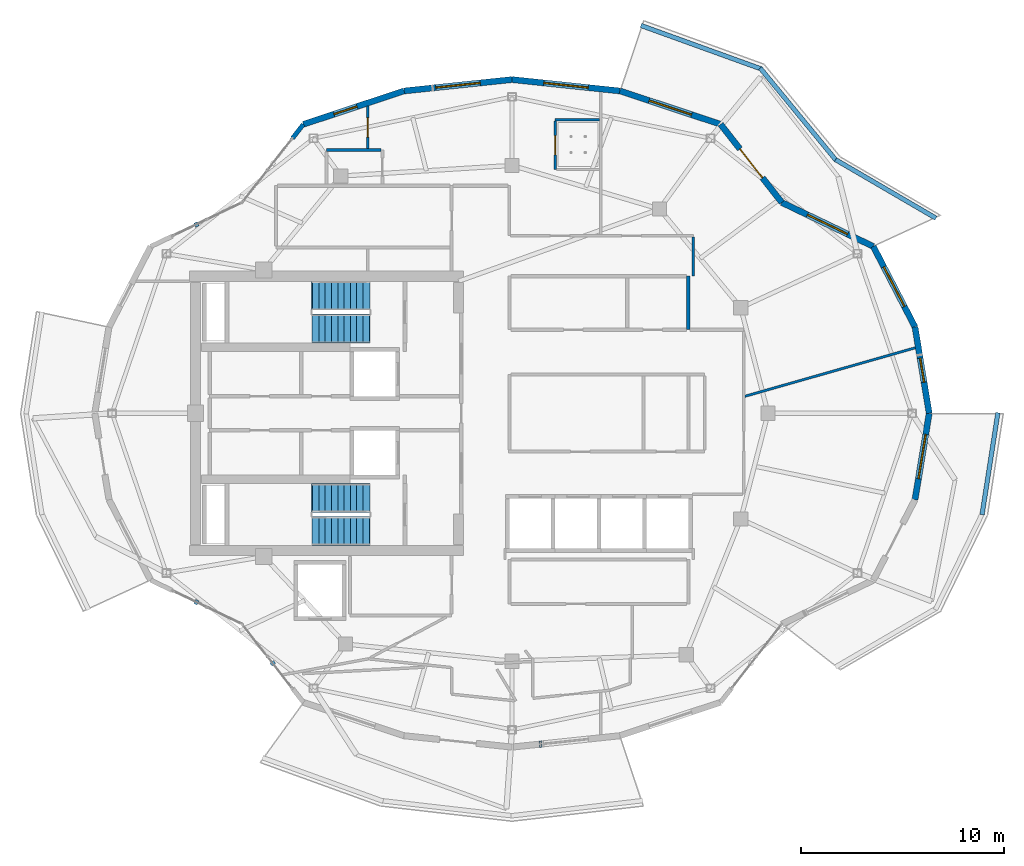
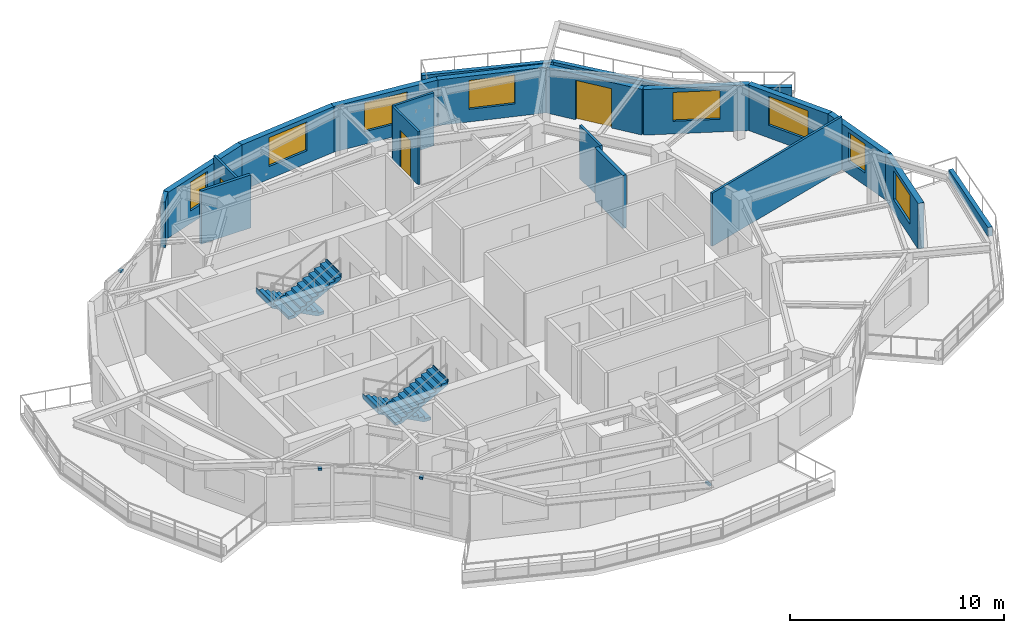
# One storey, part 11 of 15: 21 walls, 8 windows, 4 discrete accessories, 4 stair flights, 3 doors, 11 openings, 2 elements without a shape of their own.
"""IFC4 building model written with IfcOpenShell, lengths in metres."""

from ifc_helpers import new_model, si_unit, direction, frame, frame_2d, origin, origin_2d, place, context, subcontext, project, spatial, polyline, rectangle, outline, extrude, material, layer, layer_set, type_object, element, fill, aggregate, save


model = new_model("IFC4")

# Units and contexts
model_context = context("Model", 3, precision=1e-05, world=origin(), true_north=direction((0.0, 1.0)))
body_context = subcontext(model_context, "Body", "Model", "MODEL_VIEW")
ifc_project = project(units=[si_unit("LENGTHUNIT", "METRE"), si_unit("AREAUNIT", "SQUARE_METRE"), si_unit("VOLUMEUNIT", "CUBIC_METRE"), si_unit("PLANEANGLEUNIT", "RADIAN"), si_unit("MASSUNIT", "GRAM", prefix="KILO")], contexts=[model_context])

# Site, building, storey
site_placement = place(None, origin())
site = spatial("IfcSite", under=ifc_project, at=site_placement, CompositionType="ELEMENT")
building_placement = place(site_placement, origin())
building = spatial("IfcBuilding", under=site, at=building_placement, Name="Kolvaren Gate Tower and Convention Centre", CompositionType="ELEMENT")
storey_placement = place(building_placement, frame((0.0, 0.0, 265.699951171875)))
storey = spatial("IfcBuildingStorey", under=building, at=storey_placement, Name="L72", CompositionType="ELEMENT", Elevation=265.699951171875)

# Walls
ifc_material_1 = material(Name="Autoclaved Aerated Masonry Blockwork Class 4 (4.0 MPa)", Category="masonry")
ifc_layer_1 = layer(ifc_material_1, 0.179931640625)
ifc_layer_set_1 = layer_set([ifc_layer_1], Name="Autoclaved Aerated Masonry Blockwork Class 4 (4.0 MPa)")
wall_type_1 = type_object("IfcWallType", Name="ARCH-WL-COMP-180", PredefinedType="SOLIDWALL", material=ifc_layer_set_1)
wall_1_placement = place(storey_placement, frame((38.800048828125, 31.1201171875, 0.0), z_axis=(0.0, 0.0, 1.0), x_axis=(0.0, 1.0, 0.0)))
element("IfcWall", 1, at=wall_1_placement, inside=storey, type_object=wall_type_1, Name="Interior Partition WL-L72-INT-023", PredefinedType="SOLIDWALL", context=body_context, shape_type="SweptSolid", body=[
    extrude(rectangle(XDim=2.6298828125, YDim=0.179931640625, at=frame_2d((1.31494140625, 0.0))), origin(), (0.0, 0.0, 1.0), 3.030029296875),
])
ifc_material_2 = material(Name="Fire-Rated Acoustic Gypsum Stud Partition", Category="gypsum")
ifc_layer_2 = layer(ifc_material_2, 0.1201171875)
ifc_layer_set_2 = layer_set([ifc_layer_2], Name="Fire-Rated Acoustic Gypsum Stud Partition")
wall_type_2 = type_object("IfcWallType", Name="ARCH-WL-PART-120", PredefinedType="PARTITIONING", material=ifc_layer_set_2)
wall_2_placement = place(storey_placement, frame((39.050048828125, 33.75, 0.0), z_axis=(0.0, 0.0, 1.0), x_axis=(0.0, 1.0, 0.0)))
element("IfcWall", 2, at=wall_2_placement, inside=storey, type_object=wall_type_2, Name="Interior Partition WL-L72-INT-034", PredefinedType="PARTITIONING", context=body_context, shape_type="SweptSolid", body=[
    extrude(rectangle(XDim=1.93798828125, YDim=0.1201171875, at=frame_2d((0.968994140625, 0.0))), origin(), (0.0, 0.0, 1.0), 3.030029296875),
])
wall_3_placement = place(storey_placement, frame((41.58203125, 27.837646484375, 0.0), z_axis=(0.0, 0.0, 1.0), x_axis=(0.961811765236, 0.273711761262, 0.0)))
element("IfcWall", 3, at=wall_3_placement, inside=storey, type_object=wall_type_2, Name="Interior Partition WL-L72-INT-055", PredefinedType="PARTITIONING", context=body_context, shape_type="SweptSolid", body=[
    extrude(rectangle(XDim=8.722412109375, YDim=0.1201171875, at=frame_2d((4.361328125, 0.0))), origin(), (0.0, 0.0, 1.0), 3.030029296875),
])
wall_4_placement = place(storey_placement, frame((32.25, 41.449951171875, 0.0), z_axis=(0.0, 0.0, 1.0), x_axis=(1.0, 0.0, 0.0)))
element("IfcWall", 4, at=wall_4_placement, inside=storey, type_object=wall_type_2, Name="Interior Partition WL-L72-INT-056", PredefinedType="PARTITIONING", context=body_context, shape_type="SweptSolid", body=[
    extrude(rectangle(XDim=2.18798828125, YDim=0.1201171875, at=frame_2d((1.093994140625, 0.0))), origin(), (0.0, 0.0, 1.0), 3.030029296875),
])

# Wall, opening, door
wall_5_placement = place(storey_placement, frame((32.25, 39.0, 0.0), z_axis=(0.0, 0.0, 1.0), x_axis=(0.0, 1.0, 0.0)))
wall_5 = element("IfcWall", 5, at=wall_5_placement, inside=storey, type_object=wall_type_2, Name="Interior Partition WL-L72-INT-057", PredefinedType="PARTITIONING", context=body_context, shape_type="SweptSolid", body=[
    extrude(rectangle(XDim=2.387939453125, YDim=0.1201171875, at=frame_2d((1.19384765625, 0.0))), origin(), (0.0, 0.0, 1.0), 3.030029296875),
])
opening_1_placement = place(wall_5_placement, frame((0.718994140625, 0.0, 0.0)))
opening_1 = element("IfcOpeningElement", 6, at=opening_1_placement, cuts=wall_5, Name="Opening DI-01", PredefinedType="OPENING", context=body_context, shape_type="SweptSolid", body=[
    extrude(rectangle(XDim=0.949951171875, YDim=2.10009765625, at=frame_2d((0.47509765625, 1.050048828125))), frame((0.0, 0.070068359375, 0.0), z_axis=(0.0, -1.0, 0.0), x_axis=(1.0, 0.0, 0.0)), (0.0, 0.0, 1.0), 0.14013671875),
])
ifc_material_3 = material(Name="FSC Andean Oak Engineered Veneer Door Leaf", Category="wood")
door_type_1 = type_object("IfcDoorType", Name="ARCH-DR-INT-950", OperationType="SINGLE_SWING_LEFT", PredefinedType="DOOR", material=ifc_material_3)
door_1_placement = place(opening_1_placement, origin())
door_1 = element("IfcDoor", 7, at=door_1_placement, inside=storey, type_object=door_type_1, Name="Apartment Fitted Kitchen (APT-L72-01) Door", OperationType="SINGLE_SWING_RIGHT", OverallHeight=2.10009765625, OverallWidth=0.949951171875, PredefinedType="DOOR", context=body_context, shape_type="SweptSolid", body=[
    extrude(rectangle(XDim=0.949951171875, YDim=2.10009765625, at=frame_2d((0.47509765625, 1.050048828125))), frame((0.0, 0.02490234375, 0.0), z_axis=(0.0, -1.0, 0.0), x_axis=(1.0, 0.0, 0.0)), (0.0, 0.0, 1.0), 0.050048828125),
])
fill(opening_1, door_1)

wall_6_placement = place(storey_placement, frame((23.02392578125, 40.027099609375, 0.0), z_axis=(0.0, 0.0, 1.0), x_axis=(0.0, 1.0, 0.0)))
wall_6 = element("IfcWall", 8, at=wall_6_placement, inside=storey, type_object=wall_type_2, Name="Interior Partition WL-L72-INT-062", PredefinedType="PARTITIONING", context=body_context, shape_type="SweptSolid", body=[
    extrude(rectangle(XDim=2.0859375, YDim=0.1201171875, at=frame_2d((1.04296875, 0.0))), origin(), (0.0, 0.0, 1.0), 3.030029296875),
])
opening_2_placement = place(wall_6_placement, frame((0.568115234375, 0.0, 0.0)))
opening_2 = element("IfcOpeningElement", 9, at=opening_2_placement, cuts=wall_6, Name="Opening DI-01", PredefinedType="OPENING", context=body_context, shape_type="SweptSolid", body=[
    extrude(rectangle(XDim=0.949951171875, YDim=2.10009765625, at=frame_2d((0.47509765625, 1.050048828125))), frame((0.0, 0.070068359375, 0.0), z_axis=(0.0, -1.0, 0.0), x_axis=(1.0, 0.0, 0.0)), (0.0, 0.0, 1.0), 0.14013671875),
])
door_2_placement = place(opening_2_placement, origin())
door_2 = element("IfcDoor", 10, at=door_2_placement, inside=storey, type_object=door_type_1, Name="Apartment Bedroom (APT-L72-01) Door", OperationType="SINGLE_SWING_RIGHT", OverallHeight=2.10009765625, OverallWidth=0.949951171875, PredefinedType="DOOR", context=body_context, shape_type="SweptSolid", body=[
    extrude(rectangle(XDim=0.949951171875, YDim=2.10009765625, at=frame_2d((0.47509765625, 1.050048828125))), frame((0.0, 0.02490234375, 0.0), z_axis=(0.0, -1.0, 0.0), x_axis=(1.0, 0.0, 0.0)), (0.0, 0.0, 1.0), 0.050048828125),
])
fill(opening_2, door_2)

# Walls
ifc_material_4 = material(Name="Bogota Sabana Bush-Hammered Sandstone Cladding", Category="masonry")
ifc_layer_3 = layer(ifc_material_4, 0.219970703125)
ifc_layer_set_3 = layer_set([ifc_layer_3], Name="Bogota Sabana Bush-Hammered Sandstone Cladding")
wall_type_3 = type_object("IfcWallType", Name="ARCH-WL-PIER-220", PredefinedType="SOLIDWALL", material=ifc_layer_set_3)
wall_7_placement = place(storey_placement, frame((19.319091796875, 40.534423828125, 0.0), z_axis=(0.0, 0.0, 1.0), x_axis=(0.61640589237, 0.787428584604, 0.0)))
element("IfcWall", 11, at=wall_7_placement, inside=storey, type_object=wall_type_3, Name="Tower L72 Unitised Curtain Wall CW-RES-UNIT Bay 08 Right Column Pier Wrap", PredefinedType="SOLIDWALL", context=body_context, shape_type="SweptSolid", body=[
    extrude(rectangle(XDim=0.87646484375, YDim=0.219970703125, at=frame_2d((0.438232421875, 0.0))), origin(), (0.0, 0.0, 1.0), 2.60498046875),
])
ifc_material_5 = material(Name="Piedmont Cream Honed Limestone Cladding", Category="masonry")
ifc_layer_4 = layer(ifc_material_5, 0.219970703125)
ifc_layer_set_4 = layer_set([ifc_layer_4], Name="Piedmont Cream Honed Limestone Cladding")
wall_type_4 = type_object("IfcWallType", Name="ARCH-WL-PLANTER-220", PredefinedType="PARAPET", material=ifc_layer_set_4)
wall_8_placement = place(storey_placement, frame((46.0478515625, 39.484619140625, 0.0), z_axis=(0.0, 0.0, 1.0), x_axis=(0.863803671285, -0.503828559606, 0.0)))
element("IfcWall", 12, at=wall_8_placement, inside=storey, type_object=wall_type_4, Name="Vertical-Forest Balcony Stone Planter Kerb PK-L72-1.1", PredefinedType="PARAPET", context=body_context, shape_type="SweptSolid", body=[
    extrude(rectangle(XDim=5.719482421875, YDim=0.219970703125, at=frame_2d((2.85986328125, 0.0))), origin(), (0.0, 0.0, 1.0), 0.52001953125),
])
wall_9_placement = place(storey_placement, frame((42.338623046875, 43.989990234375, 0.0), z_axis=(0.0, 0.0, 1.0), x_axis=(0.635450933862, -0.772141250455, 0.0)))
element("IfcWall", 13, at=wall_9_placement, inside=storey, type_object=wall_type_4, Name="Vertical-Forest Balcony Stone Planter Kerb PK-L72-1.2", PredefinedType="PARAPET", context=body_context, shape_type="SweptSolid", body=[
    extrude(rectangle(XDim=5.91015625, YDim=0.219970703125, at=frame_2d((2.955078125, 0.0))), origin(), (0.0, 0.0, 1.0), 0.52001953125),
])
wall_10_placement = place(storey_placement, frame((36.47265625, 46.087158203125, 0.0), z_axis=(0.0, 0.0, 1.0), x_axis=(0.940465240036, -0.339889882585, 0.0)))
element("IfcWall", 14, at=wall_10_placement, inside=storey, type_object=wall_type_4, Name="Vertical-Forest Balcony Stone Planter Kerb PK-L72-1.3", PredefinedType="PARAPET", context=body_context, shape_type="SweptSolid", body=[
    extrude(rectangle(XDim=6.306640625, YDim=0.219970703125, at=frame_2d((3.1533203125, 0.0))), origin(), (0.0, 0.0, 1.0), 0.52001953125),
])
wall_11_placement = place(storey_placement, frame((53.2568359375, 22.01123046875, 0.0), z_axis=(0.0, 0.0, 1.0), x_axis=(0.15374038442, 0.988111276223, 0.0)))
element("IfcWall", 15, at=wall_11_placement, inside=storey, type_object=wall_type_4, Name="Vertical-Forest Balcony Stone Planter Kerb PK-L72-4.3", PredefinedType="PARAPET", context=body_context, shape_type="SweptSolid", body=[
    extrude(rectangle(XDim=5.078369140625, YDim=0.219970703125, at=frame_2d((2.5390625, 0.0))), origin(), (0.0, 0.0, 1.0), 0.52001953125),
])

# Wall, opening, window
ifc_layer_5 = layer(ifc_material_5, 0.300048828125)
ifc_layer_set_5 = layer_set([ifc_layer_5], Name="Piedmont Cream Honed Limestone Cladding")
wall_type_5 = type_object("IfcWallType", Name="ARCH-WL-STONE-300", PredefinedType="SOLIDWALL", material=ifc_layer_set_5)
wall_12_placement = place(storey_placement, frame((49.95654296875, 31.251220703125, 0.0), z_axis=(0.0, 0.0, 1.0), x_axis=(0.162404622434, -0.98672424649, 0.0)))
wall_12 = element("IfcWall", 16, at=wall_12_placement, inside=storey, type_object=wall_type_5, Name="Tower L72 Honed Stone Spandrel Wall EW-00", PredefinedType="SOLIDWALL", context=body_context, shape_type="SweptSolid", body=[
    extrude(rectangle(XDim=4.308349609375, YDim=0.300048828125, at=frame_2d((2.154296875, 0.0))), origin(), (0.0, 0.0, 1.0), 2.60498046875),
])
opening_3_placement = place(wall_12_placement, frame((1.553955078125, 0.0, 0.719970703125)))
opening_3 = element("IfcOpeningElement", 17, at=opening_3_placement, cuts=wall_12, Name="Opening W-04", PredefinedType="OPENING", context=body_context, shape_type="SweptSolid", body=[
    extrude(rectangle(XDim=1.199951171875, YDim=1.64990234375, at=frame_2d((0.60009765625, 0.824951171875))), frame((0.0, 0.159912109375, 0.0), z_axis=(0.0, -1.0, 0.0), x_axis=(1.0, 0.0, 0.0)), (0.0, 0.0, 1.0), 0.320068359375),
])
ifc_material_6 = material(Name="Low-E Triple Insulated Glazing Unit 44 mm", Category="glass")
window_type_1 = type_object("IfcWindowType", Name="ARCH-WN-NARROW-1200", PartitioningType="SINGLE_PANEL", PredefinedType="WINDOW", material=ifc_material_6)
window_1_placement = place(opening_3_placement, origin())
window_1 = element("IfcWindow", 18, at=window_1_placement, inside=storey, type_object=window_type_1, Name="Tower L72 Punched Stone Facade Window W-00", OverallHeight=1.64990234375, OverallWidth=1.199951171875, PartitioningType="SINGLE_PANEL", PredefinedType="WINDOW", context=body_context, shape_type="SweptSolid", body=[
    extrude(rectangle(XDim=1.199951171875, YDim=1.64990234375, at=frame_2d((0.60009765625, 0.824951171875))), frame((0.0, 0.030029296875, 0.0), z_axis=(0.0, -1.0, 0.0), x_axis=(1.0, 0.0, 0.0)), (0.0, 0.0, 1.0), 0.06005859375),
])
fill(opening_3, window_1)

wall_13_placement = place(storey_placement, frame((47.905517578125, 35.21240234375, 0.0), z_axis=(0.0, 0.0, 1.0), x_axis=(0.459801070243, -0.888021945564, 0.0)))
wall_13 = element("IfcWall", 19, at=wall_13_placement, inside=storey, type_object=wall_type_5, Name="Tower L72 Honed Stone Spandrel Wall EW-01", PredefinedType="SOLIDWALL", context=body_context, shape_type="SweptSolid", body=[
    extrude(rectangle(XDim=4.460693359375, YDim=0.300048828125, at=frame_2d((2.23046875, 0.0))), origin(), (0.0, 0.0, 1.0), 2.60498046875),
])
opening_4_placement = place(wall_13_placement, frame((1.1298828125, 0.0, 0.719970703125)))
opening_4 = element("IfcOpeningElement", 20, at=opening_4_placement, cuts=wall_13, Name="Opening W-03", PredefinedType="OPENING", context=body_context, shape_type="SweptSolid", body=[
    extrude(rectangle(XDim=2.199951171875, YDim=1.64990234375, at=frame_2d((1.10009765625, 0.824951171875))), frame((0.0, 0.159912109375, 0.0), z_axis=(0.0, -1.0, 0.0), x_axis=(1.0, 0.0, 0.0)), (0.0, 0.0, 1.0), 0.320068359375),
])
window_type_2 = type_object("IfcWindowType", Name="ARCH-WN-RES-2200", PartitioningType="SINGLE_PANEL", PredefinedType="WINDOW", material=ifc_material_6)
window_2_placement = place(opening_4_placement, origin())
window_2 = element("IfcWindow", 21, at=window_2_placement, inside=storey, type_object=window_type_2, Name="Tower L72 Punched Stone Facade Window W-01", OverallHeight=1.64990234375, OverallWidth=2.199951171875, PartitioningType="SINGLE_PANEL", PredefinedType="WINDOW", context=body_context, shape_type="SweptSolid", body=[
    extrude(rectangle(XDim=2.199951171875, YDim=1.64990234375, at=frame_2d((1.10009765625, 0.824951171875))), frame((0.0, 0.030029296875, 0.0), z_axis=(0.0, -1.0, 0.0), x_axis=(1.0, 0.0, 0.0)), (0.0, 0.0, 1.0), 0.06005859375),
])
fill(opening_4, window_2)

wall_14_placement = place(storey_placement, frame((43.40380859375, 37.37548828125, 0.0), z_axis=(0.0, 0.0, 1.0), x_axis=(0.901346013132, -0.433099716706, 0.0)))
wall_14 = element("IfcWall", 22, at=wall_14_placement, inside=storey, type_object=wall_type_5, Name="Tower L72 Honed Stone Spandrel Wall EW-02", PredefinedType="SOLIDWALL", context=body_context, shape_type="SweptSolid", body=[
    extrude(rectangle(XDim=4.994384765625, YDim=0.300048828125, at=frame_2d((2.4970703125, 0.0))), origin(), (0.0, 0.0, 1.0), 2.60498046875),
])
opening_5_placement = place(wall_14_placement, frame((1.39697265625, 0.0, 0.719970703125)))
opening_5 = element("IfcOpeningElement", 23, at=opening_5_placement, cuts=wall_14, Name="Opening W-03", PredefinedType="OPENING", context=body_context, shape_type="SweptSolid", body=[
    extrude(rectangle(XDim=2.199951171875, YDim=1.64990234375, at=frame_2d((1.10009765625, 0.824951171875))), frame((0.0, 0.159912109375, 0.0), z_axis=(0.0, -1.0, 0.0), x_axis=(1.0, 0.0, 0.0)), (0.0, 0.0, 1.0), 0.320068359375),
])
window_3_placement = place(opening_5_placement, origin())
window_3 = element("IfcWindow", 24, at=window_3_placement, inside=storey, type_object=window_type_2, Name="Tower L72 Punched Stone Facade Window W-02", OverallHeight=1.64990234375, OverallWidth=2.199951171875, PartitioningType="SINGLE_PANEL", PredefinedType="WINDOW", context=body_context, shape_type="SweptSolid", body=[
    extrude(rectangle(XDim=2.199951171875, YDim=1.64990234375, at=frame_2d((1.10009765625, 0.824951171875))), frame((0.0, 0.030029296875, 0.0), z_axis=(0.0, -1.0, 0.0), x_axis=(1.0, 0.0, 0.0)), (0.0, 0.0, 1.0), 0.06005859375),
])
fill(opening_5, window_3)

# Wall, opening, door
wall_15_placement = place(storey_placement, frame((40.390625, 41.224609375, 0.0), z_axis=(0.0, 0.0, 1.0), x_axis=(0.616413297421, -0.78742278781, 0.0)))
wall_15 = element("IfcWall", 25, at=wall_15_placement, inside=storey, type_object=wall_type_5, Name="Tower L72 Honed Stone Spandrel Wall EW-03", PredefinedType="SOLIDWALL", context=body_context, shape_type="SweptSolid", body=[
    extrude(rectangle(XDim=4.88818359375, YDim=0.300048828125, at=frame_2d((2.444091796875, 0.0))), origin(), (0.0, 0.0, 1.0), 2.60498046875),
])
opening_6_placement = place(wall_15_placement, frame((1.5439453125, 0.0, 0.0)))
opening_6 = element("IfcOpeningElement", 26, at=opening_6_placement, cuts=wall_15, Name="Opening DB-01", PredefinedType="OPENING", context=body_context, shape_type="SweptSolid", body=[
    extrude(rectangle(XDim=1.800048828125, YDim=2.25, at=frame_2d((0.89990234375, 1.125))), frame((0.0, 0.159912109375, 0.0), z_axis=(0.0, -1.0, 0.0), x_axis=(1.0, 0.0, 0.0)), (0.0, 0.0, 1.0), 0.320068359375),
])
ifc_material_7 = material(Name="Anodized Architectural Aluminium Alloy 6063-T6", Category="aluminium")
door_type_2 = type_object("IfcDoorType", Name="ARCH-DR-BALC-1800", OperationType="SLIDING_TO_LEFT", PredefinedType="DOOR", material=ifc_material_7)
door_3_placement = place(opening_6_placement, origin())
door_3 = element("IfcDoor", 27, at=door_3_placement, inside=storey, type_object=door_type_2, Name="Planted Sky Terrace Access Door DB-L72-03", OperationType="SLIDING_TO_LEFT", OverallHeight=2.25, OverallWidth=1.800048828125, PredefinedType="DOOR", context=body_context, shape_type="SweptSolid", body=[
    extrude(rectangle(XDim=1.800048828125, YDim=2.25, at=frame_2d((0.89990234375, 1.125))), frame((0.0, 0.02490234375, 0.0), z_axis=(0.0, -1.0, 0.0), x_axis=(1.0, 0.0, 0.0)), (0.0, 0.0, 1.0), 0.050048828125),
])
fill(opening_6, door_3)

# Wall, opening, window
wall_16_placement = place(storey_placement, frame((35.43896484375, 42.865234375, 0.0), z_axis=(0.0, 0.0, 1.0), x_axis=(0.949252744709, -0.314514271001, 0.0)))
wall_16 = element("IfcWall", 28, at=wall_16_placement, inside=storey, type_object=wall_type_5, Name="Tower L72 Honed Stone Spandrel Wall EW-04", PredefinedType="SOLIDWALL", context=body_context, shape_type="SweptSolid", body=[
    extrude(rectangle(XDim=5.21630859375, YDim=0.300048828125, at=frame_2d((2.608154296875, 0.0))), origin(), (0.0, 0.0, 1.0), 2.60498046875),
])
opening_7_placement = place(wall_16_placement, frame((1.508056640625, 0.0, 0.719970703125)))
opening_7 = element("IfcOpeningElement", 29, at=opening_7_placement, cuts=wall_16, Name="Opening W-03", PredefinedType="OPENING", context=body_context, shape_type="SweptSolid", body=[
    extrude(rectangle(XDim=2.199951171875, YDim=1.64990234375, at=frame_2d((1.10009765625, 0.824951171875))), frame((0.0, 0.159912109375, 0.0), z_axis=(0.0, -1.0, 0.0), x_axis=(1.0, 0.0, 0.0)), (0.0, 0.0, 1.0), 0.320068359375),
])
window_4_placement = place(opening_7_placement, origin())
window_4 = element("IfcWindow", 30, at=window_4_placement, inside=storey, type_object=window_type_2, Name="Tower L72 Punched Stone Facade Window W-04", OverallHeight=1.64990234375, OverallWidth=2.199951171875, PartitioningType="SINGLE_PANEL", PredefinedType="WINDOW", context=body_context, shape_type="SweptSolid", body=[
    extrude(rectangle(XDim=2.199951171875, YDim=1.64990234375, at=frame_2d((1.10009765625, 0.824951171875))), frame((0.0, 0.030029296875, 0.0), z_axis=(0.0, -1.0, 0.0), x_axis=(1.0, 0.0, 0.0)), (0.0, 0.0, 1.0), 0.06005859375),
])
fill(opening_7, window_4)

wall_17_placement = place(storey_placement, frame((30.125, 43.425048828125, 0.0), z_axis=(0.0, 0.0, 1.0), x_axis=(0.9944966869, -0.104768028258, 0.0)))
wall_17 = element("IfcWall", 31, at=wall_17_placement, inside=storey, type_object=wall_type_5, Name="Tower L72 Honed Stone Spandrel Wall EW-05", PredefinedType="SOLIDWALL", context=body_context, shape_type="SweptSolid", body=[
    extrude(rectangle(XDim=5.34326171875, YDim=0.300048828125, at=frame_2d((2.671630859375, 0.0))), origin(), (0.0, 0.0, 1.0), 2.60498046875),
])
opening_8_placement = place(wall_17_placement, frame((1.572021484375, 0.0, 0.719970703125)))
opening_8 = element("IfcOpeningElement", 32, at=opening_8_placement, cuts=wall_17, Name="Opening W-03", PredefinedType="OPENING", context=body_context, shape_type="SweptSolid", body=[
    extrude(rectangle(XDim=2.199951171875, YDim=1.64990234375, at=frame_2d((1.10009765625, 0.824951171875))), frame((0.0, 0.159912109375, 0.0), z_axis=(0.0, -1.0, 0.0), x_axis=(1.0, 0.0, 0.0)), (0.0, 0.0, 1.0), 0.320068359375),
])
window_5_placement = place(opening_8_placement, origin())
window_5 = element("IfcWindow", 33, at=window_5_placement, inside=storey, type_object=window_type_2, Name="Tower L72 Punched Stone Facade Window W-05", OverallHeight=1.64990234375, OverallWidth=2.199951171875, PartitioningType="SINGLE_PANEL", PredefinedType="WINDOW", context=body_context, shape_type="SweptSolid", body=[
    extrude(rectangle(XDim=2.199951171875, YDim=1.64990234375, at=frame_2d((1.10009765625, 0.824951171875))), frame((0.0, 0.030029296875, 0.0), z_axis=(0.0, -1.0, 0.0), x_axis=(1.0, 0.0, 0.0)), (0.0, 0.0, 1.0), 0.06005859375),
])
fill(opening_8, window_5)

wall_18_placement = place(storey_placement, frame((24.81103515625, 42.865234375, 0.0), z_axis=(0.0, 0.0, 1.0), x_axis=(0.9944966869, 0.104768028258, 0.0)))
wall_18 = element("IfcWall", 34, at=wall_18_placement, inside=storey, type_object=wall_type_5, Name="Tower L72 Honed Stone Spandrel Wall EW-06", PredefinedType="SOLIDWALL", context=body_context, shape_type="SweptSolid", body=[
    extrude(rectangle(XDim=5.34326171875, YDim=0.300048828125, at=frame_2d((2.671630859375, 0.0))), origin(), (0.0, 0.0, 1.0), 2.60498046875),
])
opening_9_placement = place(wall_18_placement, frame((1.572021484375, 0.0, 0.719970703125)))
opening_9 = element("IfcOpeningElement", 35, at=opening_9_placement, cuts=wall_18, Name="Opening W-03", PredefinedType="OPENING", context=body_context, shape_type="SweptSolid", body=[
    extrude(rectangle(XDim=2.199951171875, YDim=1.64990234375, at=frame_2d((1.10009765625, 0.824951171875))), frame((0.0, 0.159912109375, 0.0), z_axis=(0.0, -1.0, 0.0), x_axis=(1.0, 0.0, 0.0)), (0.0, 0.0, 1.0), 0.320068359375),
])
window_6_placement = place(opening_9_placement, origin())
window_6 = element("IfcWindow", 36, at=window_6_placement, inside=storey, type_object=window_type_2, Name="Tower L72 Punched Stone Facade Window W-06", OverallHeight=1.64990234375, OverallWidth=2.199951171875, PartitioningType="SINGLE_PANEL", PredefinedType="WINDOW", context=body_context, shape_type="SweptSolid", body=[
    extrude(rectangle(XDim=2.199951171875, YDim=1.64990234375, at=frame_2d((1.10009765625, 0.824951171875))), frame((0.0, 0.030029296875, 0.0), z_axis=(0.0, -1.0, 0.0), x_axis=(1.0, 0.0, 0.0)), (0.0, 0.0, 1.0), 0.06005859375),
])
fill(opening_9, window_6)

wall_19_placement = place(storey_placement, frame((19.859375, 41.224609375, 0.0), z_axis=(0.0, 0.0, 1.0), x_axis=(0.949252744709, 0.314514271001, 0.0)))
wall_19 = element("IfcWall", 37, at=wall_19_placement, inside=storey, type_object=wall_type_5, Name="Tower L72 Honed Stone Spandrel Wall EW-07", PredefinedType="SOLIDWALL", context=body_context, shape_type="SweptSolid", body=[
    extrude(rectangle(XDim=5.21630859375, YDim=0.300048828125, at=frame_2d((2.608154296875, 0.0))), origin(), (0.0, 0.0, 1.0), 2.60498046875),
])
opening_10_placement = place(wall_19_placement, frame((1.580078125, 0.0, 0.719970703125)))
opening_10 = element("IfcOpeningElement", 38, at=opening_10_placement, cuts=wall_19, Name="Opening W-04", PredefinedType="OPENING", context=body_context, shape_type="SweptSolid", body=[
    extrude(rectangle(XDim=1.199951171875, YDim=1.64990234375, at=frame_2d((0.60009765625, 0.824951171875))), frame((0.0, 0.159912109375, 0.0), z_axis=(0.0, -1.0, 0.0), x_axis=(1.0, 0.0, 0.0)), (0.0, 0.0, 1.0), 0.320068359375),
])
window_7_placement = place(opening_10_placement, origin())
window_7 = element("IfcWindow", 39, at=window_7_placement, inside=storey, type_object=window_type_1, Name="Tower L72 Punched Stone Facade Window W-07", OverallHeight=1.64990234375, OverallWidth=1.199951171875, PartitioningType="SINGLE_PANEL", PredefinedType="WINDOW", context=body_context, shape_type="SweptSolid", body=[
    extrude(rectangle(XDim=1.199951171875, YDim=1.64990234375, at=frame_2d((0.60009765625, 0.824951171875))), frame((0.0, 0.030029296875, 0.0), z_axis=(0.0, -1.0, 0.0), x_axis=(1.0, 0.0, 0.0)), (0.0, 0.0, 1.0), 0.06005859375),
])
fill(opening_10, window_7)

wall_20_placement = place(storey_placement, frame((49.95654296875, 22.748779296875, 0.0), z_axis=(0.0, 0.0, 1.0), x_axis=(0.162404622434, 0.98672424649, 0.0)))
wall_20 = element("IfcWall", 40, at=wall_20_placement, inside=storey, type_object=wall_type_5, Name="Tower L72 Honed Stone Spandrel Wall EW-23", PredefinedType="SOLIDWALL", context=body_context, shape_type="SweptSolid", body=[
    extrude(rectangle(XDim=4.308349609375, YDim=0.300048828125, at=frame_2d((2.154296875, 0.0))), origin(), (0.0, 0.0, 1.0), 2.60498046875),
])
opening_11_placement = place(wall_20_placement, frame((1.053955078125, 0.0, 0.719970703125)))
opening_11 = element("IfcOpeningElement", 41, at=opening_11_placement, cuts=wall_20, Name="Opening W-03", PredefinedType="OPENING", context=body_context, shape_type="SweptSolid", body=[
    extrude(rectangle(XDim=2.199951171875, YDim=1.64990234375, at=frame_2d((1.10009765625, 0.824951171875))), frame((0.0, 0.159912109375, 0.0), z_axis=(0.0, -1.0, 0.0), x_axis=(1.0, 0.0, 0.0)), (0.0, 0.0, 1.0), 0.320068359375),
])
window_8_placement = place(opening_11_placement, origin())
window_8 = element("IfcWindow", 42, at=window_8_placement, inside=storey, type_object=window_type_2, Name="Tower L72 Punched Stone Facade Window W-23", OverallHeight=1.64990234375, OverallWidth=2.199951171875, PartitioningType="SINGLE_PANEL", PredefinedType="WINDOW", context=body_context, shape_type="SweptSolid", body=[
    extrude(rectangle(XDim=2.199951171875, YDim=1.64990234375, at=frame_2d((1.10009765625, 0.824951171875))), frame((0.0, 0.030029296875, 0.0), z_axis=(0.0, -1.0, 0.0), x_axis=(1.0, 0.0, 0.0)), (0.0, 0.0, 1.0), 0.06005859375),
])
fill(opening_11, window_8)

# Wall
ifc_material_8 = material(Name="Moisture-Resistant Cement-Board Acoustic Partition", Category="gypsum")
ifc_layer_6 = layer(ifc_material_8, 0.14990234375)
ifc_layer_set_6 = layer_set([ifc_layer_6], Name="Moisture-Resistant Cement-Board Acoustic Partition")
wall_type_6 = type_object("IfcWallType", Name="ARCH-WL-WET-150", PredefinedType="PARTITIONING", material=ifc_layer_set_6)
wall_21_placement = place(storey_placement, frame((21.0, 39.949951171875, 0.0), z_axis=(0.0, 0.0, 1.0), x_axis=(1.0, 0.0, 0.0)))
element("IfcWall", 43, at=wall_21_placement, inside=storey, type_object=wall_type_6, Name="Interior Partition WL-L72-INT-060", PredefinedType="PARTITIONING", context=body_context, shape_type="SweptSolid", body=[
    extrude(rectangle(XDim=2.673095703125, YDim=0.14990234375, at=frame_2d((1.33642578125, 0.0))), origin(), (0.0, 0.0, 1.0), 3.030029296875),
])

# Stair, stair flights
ifc_material_9 = material(Name="Concrete C50/60", Category="concrete")
stair_type = type_object("IfcStairType", Name="STR-STAIR-CORE", PredefinedType="HALF_TURN_STAIR", material=ifc_material_9)
stair_1_placement = place(storey_placement, origin())
stair_1 = element("IfcStair", 44, at=stair_1_placement, inside=storey, type_object=stair_type, Name="L72 Tower North Exit Stair ST-T1", PredefinedType="HALF_TURN_STAIR")
stair_flight_type = type_object("IfcStairFlightType", Name="STR-SFL-1420", PredefinedType="STRAIGHT", material=ifc_material_9)
stair_flight_1_placement = place(storey_placement, frame((23.10009765625, 32.7900390625, 0.0), z_axis=(0.0, 0.0, 1.0), x_axis=(-1.0, 0.0, 0.0)))
stair_flight_1 = element("IfcStairFlight", 45, at=stair_flight_1_placement, type_object=stair_flight_type, Name="ST-T1 flight 1", NumberOfRisers=10, NumberOfTreads=9, PredefinedType="STRAIGHT", RiserHeight=0.165, TreadLength=0.31, context=body_context, shape_type="SweptSolid", body=[
    extrude(outline(polyline([(-0.034912109375, 0.0), (-0.034912109375, 0.1650390625), (0.31005859375, 0.1650390625), (0.31005859375, 0.330078125), (0.6201171875, 0.330078125), (0.6201171875, 0.4951171875), (0.929931640625, 0.4951171875), (0.929931640625, 0.659912109375), (1.239990234375, 0.659912109375), (1.239990234375, 0.824951171875), (1.550048828125, 0.824951171875), (1.550048828125, 0.989990234375), (1.860107421875, 0.989990234375), (1.860107421875, 1.155029296875), (2.169921875, 1.155029296875), (2.169921875, 1.320068359375), (2.47998046875, 1.320068359375), (2.47998046875, 1.485107421875), (2.7900390625, 1.485107421875), (2.7900390625, 1.64990234375), (2.8349609375, 1.64990234375), (2.8349609375, 1.489990234375), (2.7900390625, 1.315185546875), (0.319091796875, 0.0), (-0.034912109375, 0.0)])), frame((0.0, 0.7099609375, 0.0), z_axis=(0.0, -1.0, 0.0), x_axis=(1.0, 0.0, 0.0)), (0.0, 0.0, 1.0), 1.419921875),
])
stair_flight_2_placement = place(storey_placement, frame((20.31005859375, 31.169921875, 1.650146484375), z_axis=(0.0, 0.0, 1.0), x_axis=(1.0, 0.0, 0.0)))
stair_flight_2 = element("IfcStairFlight", 46, at=stair_flight_2_placement, type_object=stair_flight_type, Name="ST-T1 flight 2", NumberOfRisers=10, NumberOfTreads=9, PredefinedType="STRAIGHT", RiserHeight=0.165, TreadLength=0.31, context=body_context, shape_type="SweptSolid", body=[
    extrude(outline(polyline([(-0.034912109375, 0.0), (-0.034912109375, 0.1650390625), (0.31005859375, 0.1650390625), (0.31005859375, 0.330078125), (0.6201171875, 0.330078125), (0.6201171875, 0.4951171875), (0.929931640625, 0.4951171875), (0.929931640625, 0.659912109375), (1.239990234375, 0.659912109375), (1.239990234375, 0.824951171875), (1.550048828125, 0.824951171875), (1.550048828125, 0.989990234375), (1.860107421875, 0.989990234375), (1.860107421875, 1.155029296875), (2.169921875, 1.155029296875), (2.169921875, 1.320068359375), (2.47998046875, 1.320068359375), (2.47998046875, 1.485107421875), (2.7900390625, 1.485107421875), (2.7900390625, 1.64990234375), (2.8349609375, 1.64990234375), (2.8349609375, 1.489990234375), (2.7900390625, 1.315185546875), (0.319091796875, 0.0), (-0.034912109375, 0.0)])), frame((0.0, 0.7099609375, 0.0), z_axis=(0.0, -1.0, 0.0), x_axis=(1.0, 0.0, 0.0)), (0.0, 0.0, 1.0), 1.419921875),
])
aggregate(stair_1, [stair_flight_1, stair_flight_2])

stair_2_placement = place(storey_placement, origin())
stair_2 = element("IfcStair", 47, at=stair_2_placement, inside=storey, type_object=stair_type, Name="L72 Tower South Exit Stair ST-T2", PredefinedType="HALF_TURN_STAIR")
stair_flight_3_placement = place(storey_placement, frame((23.10009765625, 22.830078125, 0.0), z_axis=(0.0, 0.0, 1.0), x_axis=(-1.0, 0.0, 0.0)))
stair_flight_3 = element("IfcStairFlight", 48, at=stair_flight_3_placement, type_object=stair_flight_type, Name="ST-T2 flight 1", NumberOfRisers=10, NumberOfTreads=9, PredefinedType="STRAIGHT", RiserHeight=0.165, TreadLength=0.31, context=body_context, shape_type="SweptSolid", body=[
    extrude(outline(polyline([(-0.034912109375, 0.0), (-0.034912109375, 0.1650390625), (0.31005859375, 0.1650390625), (0.31005859375, 0.330078125), (0.6201171875, 0.330078125), (0.6201171875, 0.4951171875), (0.929931640625, 0.4951171875), (0.929931640625, 0.659912109375), (1.239990234375, 0.659912109375), (1.239990234375, 0.824951171875), (1.550048828125, 0.824951171875), (1.550048828125, 0.989990234375), (1.860107421875, 0.989990234375), (1.860107421875, 1.155029296875), (2.169921875, 1.155029296875), (2.169921875, 1.320068359375), (2.47998046875, 1.320068359375), (2.47998046875, 1.485107421875), (2.7900390625, 1.485107421875), (2.7900390625, 1.64990234375), (2.8349609375, 1.64990234375), (2.8349609375, 1.489990234375), (2.7900390625, 1.315185546875), (0.319091796875, 0.0), (-0.034912109375, 0.0)])), frame((0.0, 0.7099609375, 0.0), z_axis=(0.0, -1.0, 0.0), x_axis=(1.0, 0.0, 0.0)), (0.0, 0.0, 1.0), 1.419921875),
])
stair_flight_4_placement = place(storey_placement, frame((20.31005859375, 21.2099609375, 1.650146484375), z_axis=(0.0, 0.0, 1.0), x_axis=(1.0, 0.0, 0.0)))
stair_flight_4 = element("IfcStairFlight", 49, at=stair_flight_4_placement, type_object=stair_flight_type, Name="ST-T2 flight 2", NumberOfRisers=10, NumberOfTreads=9, PredefinedType="STRAIGHT", RiserHeight=0.165, TreadLength=0.31, context=body_context, shape_type="SweptSolid", body=[
    extrude(outline(polyline([(-0.034912109375, 0.0), (-0.034912109375, 0.1650390625), (0.31005859375, 0.1650390625), (0.31005859375, 0.330078125), (0.6201171875, 0.330078125), (0.6201171875, 0.4951171875), (0.929931640625, 0.4951171875), (0.929931640625, 0.659912109375), (1.239990234375, 0.659912109375), (1.239990234375, 0.824951171875), (1.550048828125, 0.824951171875), (1.550048828125, 0.989990234375), (1.860107421875, 0.989990234375), (1.860107421875, 1.155029296875), (2.169921875, 1.155029296875), (2.169921875, 1.320068359375), (2.47998046875, 1.320068359375), (2.47998046875, 1.485107421875), (2.7900390625, 1.485107421875), (2.7900390625, 1.64990234375), (2.8349609375, 1.64990234375), (2.8349609375, 1.489990234375), (2.7900390625, 1.315185546875), (0.319091796875, 0.0), (-0.034912109375, 0.0)])), frame((0.0, 0.7099609375, 0.0), z_axis=(0.0, -1.0, 0.0), x_axis=(1.0, 0.0, 0.0)), (0.0, 0.0, 1.0), 1.419921875),
])
aggregate(stair_2, [stair_flight_3, stair_flight_4])

# Discrete accessories
discrete_accessory_type = type_object("IfcDiscreteAccessoryType", Name="ARCH-ACC-BRACKET-120", PredefinedType="BRACKET", material=ifc_material_7)
for number, where, z_axis, x_axis, name in (
    (50, (14.59521484375, 36.2939453125, 2.85009765625), (0.0, 0.0, 1.0), (0.901356122373, 0.433078677218, 0.0), "Solar Screen Spandrel Anchor Bracket BK-L72-09"),
    (51, (14.59521484375, 17.7060546875, 2.85009765625), (0.0, 0.0, 1.0), (0.901356122373, -0.433078677218, 0.0), "Solar Screen Spandrel Anchor Bracket BK-L72-14"),
    (52, (18.352783203125, 14.7001953125, 2.85009765625), (0.0, 0.0, 1.0), (0.616429996253, -0.787409715281, 0.0), "Solar Screen Spandrel Anchor Bracket BK-L72-15"),
):
    element("IfcDiscreteAccessory", number, at=place(storey_placement, frame(where, z_axis=z_axis, x_axis=x_axis)), inside=storey, type_object=discrete_accessory_type, Name=name, PredefinedType="BRACKET", context=body_context, shape_type="SweptSolid", body=[
        extrude(rectangle(XDim=0.179931640625, YDim=0.219970703125, at=origin_2d()), origin(), (0.0, 0.0, 1.0), 0.1201171875),
    ])
discrete_accessory_placement = place(storey_placement, frame((31.529296875, 10.722900390625, 0.2900390625), z_axis=(0.0, 0.0, 1.0), x_axis=(0.994498701491, 0.104748903254, 0.0)))
element("IfcDiscreteAccessory", 53, at=discrete_accessory_placement, inside=storey, type_object=discrete_accessory_type, Name="Ceramic Fin Wall Anchor Bracket FBK-L72-18", PredefinedType="BRACKET", context=body_context, shape_type="SweptSolid", body=[
    extrude(rectangle(XDim=0.1201171875, YDim=0.320068359375, at=origin_2d()), origin(), (0.0, 0.0, 1.0), 0.1201171875),
])

save(model, "model.ifc")
